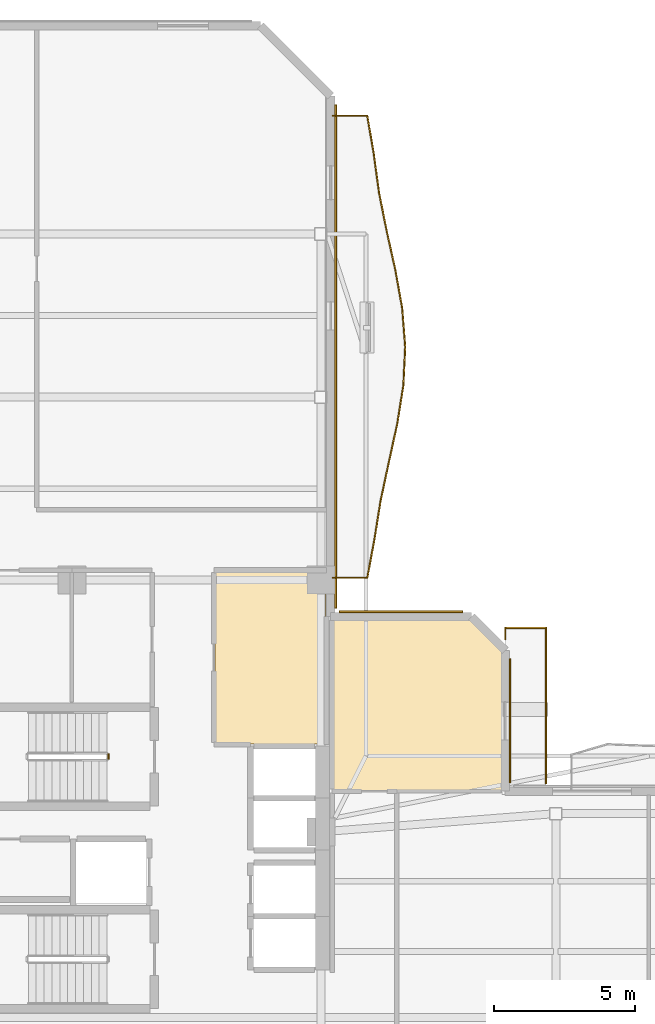
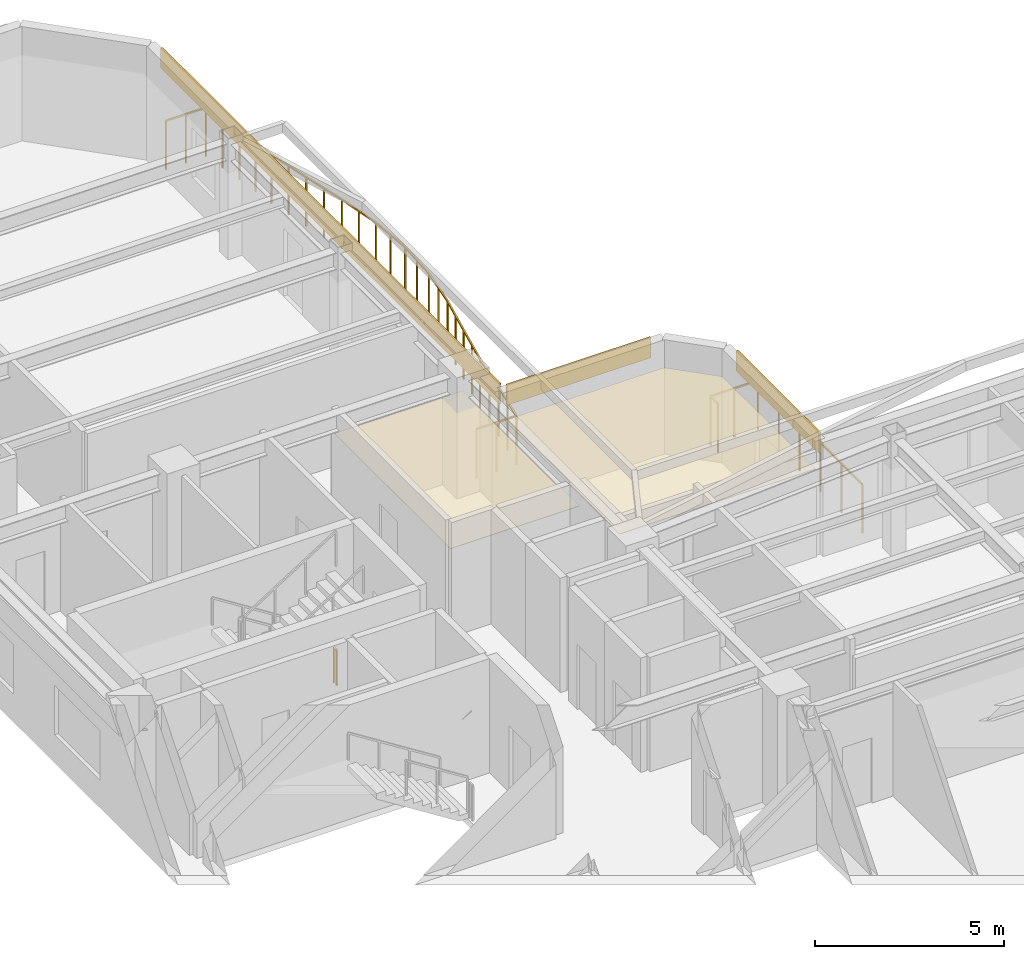
# One storey, part 10 of 11: 5 coverings, 5 railings.
"""IFC4 building model written with IfcOpenShell, lengths in metres."""

from ifc_helpers import new_model, si_unit, direction, frame, origin, origin_2d, place, context, subcontext, project, spatial, polyline, rectangle, outline, extrude, material, layer, layer_set, type_object, element, save


model = new_model("IFC4")

# Units and contexts
model_context = context("Model", 3, precision=1e-05, world=origin(), true_north=direction((0.0, 1.0)))
body_context = subcontext(model_context, "Body", "Model", "MODEL_VIEW")
ifc_project = project(units=[si_unit("LENGTHUNIT", "METRE"), si_unit("AREAUNIT", "SQUARE_METRE"), si_unit("VOLUMEUNIT", "CUBIC_METRE"), si_unit("PLANEANGLEUNIT", "RADIAN"), si_unit("MASSUNIT", "GRAM", prefix="KILO")], contexts=[model_context])

# Site, building, storey
site_placement = place(None, origin())
site = spatial("IfcSite", under=ifc_project, at=site_placement, CompositionType="ELEMENT")
building_placement = place(site_placement, origin())
building = spatial("IfcBuilding", under=site, at=building_placement, Name="Mawjaban Terraces University", CompositionType="ELEMENT")
storey_placement = place(building_placement, frame((0.0, 0.0, 214.800048828125)))
storey = spatial("IfcBuildingStorey", under=building, at=storey_placement, Name="L52", CompositionType="ELEMENT", Elevation=214.800048828125)

# Coverings
ifc_material_1 = material(Name="Acoustic mineral fibre ceiling tile", Category="masonry")
ifc_layer_1 = layer(ifc_material_1, 0.02001953125)
ifc_layer_set_1 = layer_set([ifc_layer_1], Name="Acoustic mineral fibre ceiling tile")
covering_type_1 = type_object("IfcCoveringType", Name="AcousticMineralCeiling_20", PredefinedType="CEILING", material=ifc_layer_set_1)
covering_1_placement = place(storey_placement, frame((0.0, 0.0, 2.75)))
element("IfcCovering", 1, at=covering_1_placement, inside=storey, type_object=covering_type_1, Name="L52 Graduate Research Collaboration Studio Acoustic Ceiling", PredefinedType="CEILING", context=body_context, shape_type="SweptSolid", body=[
    extrude(outline(polyline([(37.820068359375, 17.679931640625), (37.820068359375, 23.820068359375), (33.8798828125, 23.820068359375), (33.8798828125, 17.679931640625), (37.820068359375, 17.679931640625)])), origin(), (0.0, 0.0, 1.0), 0.02001953125),
])
covering_2_placement = place(storey_placement, frame((0.0, 0.0, 2.75)))
element("IfcCovering", 2, at=covering_2_placement, inside=storey, type_object=covering_type_1, Name="L52 Terrace Collaborative Study Room Acoustic Ceiling", PredefinedType="CEILING", context=body_context, shape_type="SweptSolid", body=[
    extrude(outline(polyline([(44.0849609375, 16.030029296875), (44.0849609375, 20.952880859375), (42.952880859375, 22.0849609375), (38.080078125, 22.0849609375), (38.080078125, 16.030029296875), (44.0849609375, 16.030029296875)])), origin(), (0.0, 0.0, 1.0), 0.02001953125),
])

# Railings
ifc_material_2 = material(Name="Galvanised powder-coated steel S355", Category="steel")
railing_type_1 = type_object("IfcRailingType", Name="BalconyBalustrade_1600", PredefinedType="BALUSTRADE", material=ifc_material_2)
railing_1_placement = place(storey_placement, frame((38.080078125, 23.5830078125, 0.0)))
element("IfcRailing", 3, at=railing_1_placement, inside=storey, type_object=railing_type_1, Name="L52 Balcony Guardrail inner_east", PredefinedType="BALUSTRADE", context=body_context, shape_type="SweptSolid", body=[
    extrude(rectangle(XDim=0.048095703125, YDim=0.048095703125, at=origin_2d()), frame((0.0, 0.0, 1.576171875), z_axis=(1.0, 0.0, 0.0), x_axis=(0.0, 1.0, 0.0)), (0.0, 0.0, 1.0), 1.219970703125),
    extrude(rectangle(XDim=0.048095703125, YDim=0.048095703125, at=origin_2d()), frame((1.219970703125, 0.0, 1.576171875), z_axis=(0.183176092035, 0.983080118458, 0.0), x_axis=(-0.983080118458, 0.183176092035, 0.0)), (0.0, 0.0, 1.0), 1.391357421875),
    extrude(rectangle(XDim=0.048095703125, YDim=0.048095703125, at=origin_2d()), frame((1.474853515625, 1.367919921875, 1.576171875), z_axis=(0.157365037324, 0.987540502981, 0.0), x_axis=(-0.987540502981, 0.157365037324, 0.0)), (0.0, 0.0, 1.0), 1.385498046875),
    extrude(rectangle(XDim=0.048095703125, YDim=0.048095703125, at=origin_2d()), frame((1.69287109375, 2.736083984375, 1.576171875), z_axis=(0.209421822634, 0.977825393516, 0.0), x_axis=(-0.977825393516, 0.209421822634, 0.0)), (0.0, 0.0, 1.0), 1.39892578125),
    extrude(rectangle(XDim=0.048095703125, YDim=0.048095703125, at=origin_2d()), frame((1.98583984375, 4.10400390625, 1.576171875), z_axis=(0.213587680733, 0.97692389808, 0.0), x_axis=(-0.97692389808, 0.213587680733, 0.0)), (0.0, 0.0, 1.0), 1.400146484375),
    extrude(rectangle(XDim=0.048095703125, YDim=0.048095703125, at=origin_2d()), frame((2.284912109375, 5.471923828125, 1.576171875), z_axis=(0.157365037324, 0.987540502981, 0.0), x_axis=(-0.987540502981, 0.157365037324, 0.0)), (0.0, 0.0, 1.0), 1.385498046875),
    extrude(rectangle(XDim=0.048095703125, YDim=0.048095703125, at=origin_2d()), frame((2.5029296875, 6.840087890625, 1.576171875), z_axis=(0.047421157552, 0.998874984078, 0.0), x_axis=(-0.998874984078, 0.047421157552, 0.0)), (0.0, 0.0, 1.0), 1.369384765625),
    extrude(rectangle(XDim=0.048095703125, YDim=0.048095703125, at=origin_2d()), frame((2.56787109375, 8.2080078125, 1.576171875), z_axis=(-0.077879383158, 0.996962788513, 0.0), x_axis=(-0.996962788513, -0.077879383158, 0.0)), (0.0, 0.0, 1.0), 1.373046875),
    extrude(rectangle(XDim=0.048095703125, YDim=0.048095703125, at=origin_2d()), frame((2.4609375, 9.576904296875, 1.576171875), z_axis=(-0.176349902422, 0.984327543004, 0.0), x_axis=(-0.984327543004, -0.176349902422, 0.0)), (0.0, 0.0, 1.0), 1.389892578125),
    extrude(rectangle(XDim=0.048095703125, YDim=0.048095703125, at=origin_2d()), frame((2.2158203125, 10.945068359375, 1.576171875), z_axis=(-0.216912010267, 0.976191159457, 0.0), x_axis=(-0.976191159457, -0.216912010267, 0.0)), (0.0, 0.0, 1.0), 1.4013671875),
    extrude(rectangle(XDim=0.048095703125, YDim=0.048095703125, at=origin_2d()), frame((1.911865234375, 12.31298828125, 1.576171875), z_axis=(-0.196351708451, 0.980533531598, 0.0), x_axis=(-0.980533531598, -0.196351708451, 0.0)), (0.0, 0.0, 1.0), 1.39501953125),
    extrude(rectangle(XDim=0.048095703125, YDim=0.048095703125, at=origin_2d()), frame((1.637939453125, 13.680908203125, 1.576171875), z_axis=(-0.134734455278, 0.990881741966, 0.0), x_axis=(-0.990881741966, -0.134734455278, 0.0)), (0.0, 0.0, 1.0), 1.380859375),
    extrude(rectangle(XDim=0.048095703125, YDim=0.048095703125, at=origin_2d()), frame((1.451904296875, 15.049072265625, 1.576171875), z_axis=(-0.167166213073, 0.985928728259, 0.0), x_axis=(-0.985928728259, -0.167166213073, 0.0)), (0.0, 0.0, 1.0), 1.387451171875),
    extrude(rectangle(XDim=0.048095703125, YDim=0.048095703125, at=origin_2d()), frame((1.219970703125, 16.4169921875, 1.576171875), z_axis=(-1.0, 0.0, 0.0), x_axis=(0.0, -1.0, 0.0)), (0.0, 0.0, 1.0), 1.219970703125),
    extrude(rectangle(XDim=0.0419921875, YDim=0.0419921875, at=origin_2d()), origin(), (0.0, 0.0, 1.0), 1.552001953125),
    extrude(rectangle(XDim=0.0419921875, YDim=0.0419921875, at=origin_2d()), frame((0.60986328125, 0.0, 0.0)), (0.0, 0.0, 1.0), 1.552001953125),
    extrude(rectangle(XDim=0.0419921875, YDim=0.0419921875, at=origin_2d()), frame((1.219970703125, 0.0, 0.0)), (0.0, 0.0, 1.0), 1.552001953125),
    extrude(rectangle(XDim=0.0419921875, YDim=0.0419921875, at=origin_2d()), frame((1.347412109375, 0.68408203125, 0.0)), (0.0, 0.0, 1.0), 1.552001953125),
    extrude(rectangle(XDim=0.0419921875, YDim=0.0419921875, at=origin_2d()), frame((1.474853515625, 1.367919921875, 0.0)), (0.0, 0.0, 1.0), 1.552001953125),
    extrude(rectangle(XDim=0.0419921875, YDim=0.0419921875, at=origin_2d()), frame((1.583984375, 2.052001953125, 0.0)), (0.0, 0.0, 1.0), 1.552001953125),
    extrude(rectangle(XDim=0.0419921875, YDim=0.0419921875, at=origin_2d()), frame((1.69287109375, 2.736083984375, 0.0)), (0.0, 0.0, 1.0), 1.552001953125),
    extrude(rectangle(XDim=0.0419921875, YDim=0.0419921875, at=origin_2d()), frame((1.83935546875, 3.419921875, 0.0)), (0.0, 0.0, 1.0), 1.552001953125),
    extrude(rectangle(XDim=0.0419921875, YDim=0.0419921875, at=origin_2d()), frame((1.98583984375, 4.10400390625, 0.0)), (0.0, 0.0, 1.0), 1.552001953125),
    extrude(rectangle(XDim=0.0419921875, YDim=0.0419921875, at=origin_2d()), frame((2.13525390625, 4.7880859375, 0.0)), (0.0, 0.0, 1.0), 1.552001953125),
    extrude(rectangle(XDim=0.0419921875, YDim=0.0419921875, at=origin_2d()), frame((2.284912109375, 5.471923828125, 0.0)), (0.0, 0.0, 1.0), 1.552001953125),
    extrude(rectangle(XDim=0.0419921875, YDim=0.0419921875, at=origin_2d()), frame((2.39404296875, 6.156005859375, 0.0)), (0.0, 0.0, 1.0), 1.552001953125),
    extrude(rectangle(XDim=0.0419921875, YDim=0.0419921875, at=origin_2d()), frame((2.5029296875, 6.840087890625, 0.0)), (0.0, 0.0, 1.0), 1.552001953125),
    extrude(rectangle(XDim=0.0419921875, YDim=0.0419921875, at=origin_2d()), frame((2.535400390625, 7.52392578125, 0.0)), (0.0, 0.0, 1.0), 1.552001953125),
    extrude(rectangle(XDim=0.0419921875, YDim=0.0419921875, at=origin_2d()), frame((2.56787109375, 8.2080078125, 0.0)), (0.0, 0.0, 1.0), 1.552001953125),
    extrude(rectangle(XDim=0.0419921875, YDim=0.0419921875, at=origin_2d()), frame((2.514404296875, 8.892578125, 0.0)), (0.0, 0.0, 1.0), 1.552001953125),
    extrude(rectangle(XDim=0.0419921875, YDim=0.0419921875, at=origin_2d()), frame((2.4609375, 9.576904296875, 0.0)), (0.0, 0.0, 1.0), 1.552001953125),
    extrude(rectangle(XDim=0.0419921875, YDim=0.0419921875, at=origin_2d()), frame((2.33837890625, 10.260986328125, 0.0)), (0.0, 0.0, 1.0), 1.552001953125),
    extrude(rectangle(XDim=0.0419921875, YDim=0.0419921875, at=origin_2d()), frame((2.2158203125, 10.945068359375, 0.0)), (0.0, 0.0, 1.0), 1.552001953125),
    extrude(rectangle(XDim=0.0419921875, YDim=0.0419921875, at=origin_2d()), frame((2.06396484375, 11.62890625, 0.0)), (0.0, 0.0, 1.0), 1.552001953125),
    extrude(rectangle(XDim=0.0419921875, YDim=0.0419921875, at=origin_2d()), frame((1.911865234375, 12.31298828125, 0.0)), (0.0, 0.0, 1.0), 1.552001953125),
    extrude(rectangle(XDim=0.0419921875, YDim=0.0419921875, at=origin_2d()), frame((1.77490234375, 12.9970703125, 0.0)), (0.0, 0.0, 1.0), 1.552001953125),
    extrude(rectangle(XDim=0.0419921875, YDim=0.0419921875, at=origin_2d()), frame((1.637939453125, 13.680908203125, 0.0)), (0.0, 0.0, 1.0), 1.552001953125),
    extrude(rectangle(XDim=0.0419921875, YDim=0.0419921875, at=origin_2d()), frame((1.544921875, 14.364990234375, 0.0)), (0.0, 0.0, 1.0), 1.552001953125),
    extrude(rectangle(XDim=0.0419921875, YDim=0.0419921875, at=origin_2d()), frame((1.451904296875, 15.049072265625, 0.0)), (0.0, 0.0, 1.0), 1.552001953125),
    extrude(rectangle(XDim=0.0419921875, YDim=0.0419921875, at=origin_2d()), frame((1.3359375, 15.73291015625, 0.0)), (0.0, 0.0, 1.0), 1.552001953125),
    extrude(rectangle(XDim=0.0419921875, YDim=0.0419921875, at=origin_2d()), frame((1.219970703125, 16.4169921875, 0.0)), (0.0, 0.0, 1.0), 1.552001953125),
    extrude(rectangle(XDim=0.0419921875, YDim=0.0419921875, at=origin_2d()), frame((0.60986328125, 16.4169921875, 0.0)), (0.0, 0.0, 1.0), 1.552001953125),
    extrude(rectangle(XDim=0.0419921875, YDim=0.0419921875, at=origin_2d()), frame((0.0, 16.4169921875, 0.0)), (0.0, 0.0, 1.0), 1.552001953125),
])
railing_2_placement = place(storey_placement, frame((45.64990234375, 16.280029296875, 0.0)))
element("IfcRailing", 4, at=railing_2_placement, inside=storey, type_object=railing_type_1, Name="L52 Terrace Guardrail TER-L52-CLIMB.1", PredefinedType="BALUSTRADE", context=body_context, shape_type="SweptSolid", body=[
    extrude(rectangle(XDim=0.048095703125, YDim=0.048095703125, at=origin_2d()), frame((0.0, 0.0, 1.576171875), z_axis=(0.0, 1.0, 0.0), x_axis=(-1.0, 0.0, 0.0)), (0.0, 0.0, 1.0), 5.52001953125),
    extrude(rectangle(XDim=0.0419921875, YDim=0.0419921875, at=origin_2d()), origin(), (0.0, 0.0, 1.0), 1.552001953125),
    extrude(rectangle(XDim=0.0419921875, YDim=0.0419921875, at=origin_2d()), frame((0.0, 1.10400390625, 0.0)), (0.0, 0.0, 1.0), 1.552001953125),
    extrude(rectangle(XDim=0.0419921875, YDim=0.0419921875, at=origin_2d()), frame((0.0, 2.2080078125, 0.0)), (0.0, 0.0, 1.0), 1.552001953125),
    extrude(rectangle(XDim=0.0419921875, YDim=0.0419921875, at=origin_2d()), frame((0.0, 3.31201171875, 0.0)), (0.0, 0.0, 1.0), 1.552001953125),
    extrude(rectangle(XDim=0.0419921875, YDim=0.0419921875, at=origin_2d()), frame((0.0, 4.416015625, 0.0)), (0.0, 0.0, 1.0), 1.552001953125),
    extrude(rectangle(XDim=0.0419921875, YDim=0.0419921875, at=origin_2d()), frame((0.0, 5.52001953125, 0.0)), (0.0, 0.0, 1.0), 1.552001953125),
])
railing_3_placement = place(storey_placement, frame((45.64990234375, 21.800048828125, 0.0)))
element("IfcRailing", 5, at=railing_3_placement, inside=storey, type_object=railing_type_1, Name="L52 Terrace Guardrail TER-L52-CLIMB.2", PredefinedType="BALUSTRADE", context=body_context, shape_type="SweptSolid", body=[
    extrude(rectangle(XDim=0.048095703125, YDim=0.048095703125, at=origin_2d()), frame((0.0, 0.0, 1.576171875), z_axis=(-1.0, 0.0, 0.0), x_axis=(0.0, -1.0, 0.0)), (0.0, 0.0, 1.0), 1.449951171875),
    extrude(rectangle(XDim=0.0419921875, YDim=0.0419921875, at=origin_2d()), origin(), (0.0, 0.0, 1.0), 1.552001953125),
    extrude(rectangle(XDim=0.0419921875, YDim=0.0419921875, at=origin_2d()), frame((-0.72509765625, 0.0, 0.0)), (0.0, 0.0, 1.0), 1.552001953125),
    extrude(rectangle(XDim=0.0419921875, YDim=0.0419921875, at=origin_2d()), frame((-1.449951171875, 0.0, 0.0)), (0.0, 0.0, 1.0), 1.552001953125),
])
railing_4_placement = place(storey_placement, frame((44.199951171875, 21.800048828125, 0.0)))
element("IfcRailing", 6, at=railing_4_placement, inside=storey, type_object=railing_type_1, Name="L52 Terrace Guardrail TER-L52-CLIMB.3", PredefinedType="BALUSTRADE", context=body_context, shape_type="SweptSolid", body=[
    extrude(rectangle(XDim=0.048095703125, YDim=0.048095703125, at=origin_2d()), frame((0.0, 0.0, 1.576171875), z_axis=(0.0, -1.0, 0.0), x_axis=(1.0, 0.0, 0.0)), (0.0, 0.0, 1.0), 0.404052734375),
    extrude(rectangle(XDim=0.0419921875, YDim=0.0419921875, at=origin_2d()), origin(), (0.0, 0.0, 1.0), 1.552001953125),
    extrude(rectangle(XDim=0.0419921875, YDim=0.0419921875, at=origin_2d()), frame((0.0, -0.404052734375, 0.0)), (0.0, 0.0, 1.0), 1.552001953125),
])
ifc_material_3 = material(Name="Galvanised painted steel S355", Category="steel")
railing_type_2 = type_object("IfcRailingType", Name="StairWellGuard_1150", PredefinedType="BALUSTRADE", material=ifc_material_3)
railing_5_placement = place(storey_placement, frame((30.10009765625, 17.300048828125, 0.0)))
element("IfcRailing", 7, at=railing_5_placement, inside=storey, type_object=railing_type_2, Name="L52 ST-2 stair guard 4", PredefinedType="BALUSTRADE", context=body_context, shape_type="SweptSolid", body=[
    extrude(rectangle(XDim=0.048095703125, YDim=0.048095703125, at=origin_2d()), frame((0.0, 0.0, 1.1259765625), z_axis=(0.0, -1.0, 0.0), x_axis=(1.0, 0.0, 0.0)), (0.0, 0.0, 1.0), 0.150146484375),
    extrude(rectangle(XDim=0.0419921875, YDim=0.0419921875, at=origin_2d()), origin(), (0.0, 0.0, 1.0), 1.101806640625),
    extrude(rectangle(XDim=0.0419921875, YDim=0.0419921875, at=origin_2d()), frame((0.0, -0.150146484375, 0.0)), (0.0, 0.0, 1.0), 1.101806640625),
])

# Coverings
ifc_material_4 = material(Name="Glazed architectural terracotta rainscreen", Category="masonry")
ifc_layer_2 = layer(ifc_material_4, 0.06005859375)
ifc_layer_set_2 = layer_set([ifc_layer_2], Name="Glazed architectural terracotta rainscreen")
covering_type_2 = type_object("IfcCoveringType", Name="TerracottaSpandrelCladding_60", PredefinedType="CLADDING", material=ifc_layer_set_2)
for number, where, z_axis, x_axis, name in (
    (8, (44.375, 18.5, 3.014892578125), (0.0, 0.0, 1.0), (0.0, 1.0, 0.0), "L52 Terracotta Spandrel Cladding 6"),
    (9, (40.5, 22.375, 3.014892578125), (0.0, 0.0, 1.0), (-1.0, 0.0, 0.0), "L52 Terracotta Spandrel Cladding 8"),
):
    element("IfcCovering", number, at=place(storey_placement, frame(where, z_axis=z_axis, x_axis=x_axis)), inside=storey, type_object=covering_type_2, Name=name, PredefinedType="CLADDING", context=body_context, shape_type="SweptSolid", body=[
        extrude(rectangle(XDim=4.39990234375, YDim=0.06005859375, at=origin_2d()), origin(), (0.0, 0.0, 1.0), 0.64990234375),
    ])
covering_3_placement = place(storey_placement, frame((38.175048828125, 31.449951171875, 3.014892578125), z_axis=(0.0, 0.0, 1.0), x_axis=(0.0, 1.0, 0.0)))
element("IfcCovering", 10, at=covering_3_placement, inside=storey, type_object=covering_type_2, Name="L52 Terracotta Spandrel Cladding 9", PredefinedType="CLADDING", context=body_context, shape_type="SweptSolid", body=[
    extrude(rectangle(XDim=17.89990234375, YDim=0.06005859375, at=origin_2d()), origin(), (0.0, 0.0, 1.0), 0.64990234375),
])

save(model, "model.ifc")
